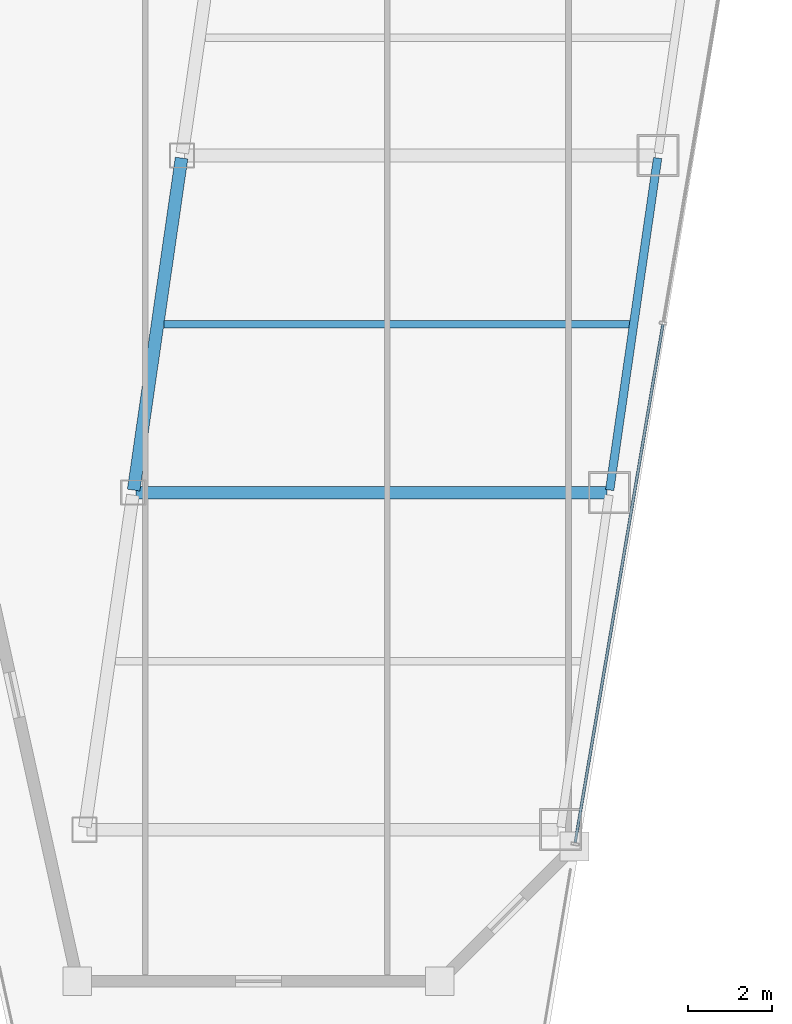
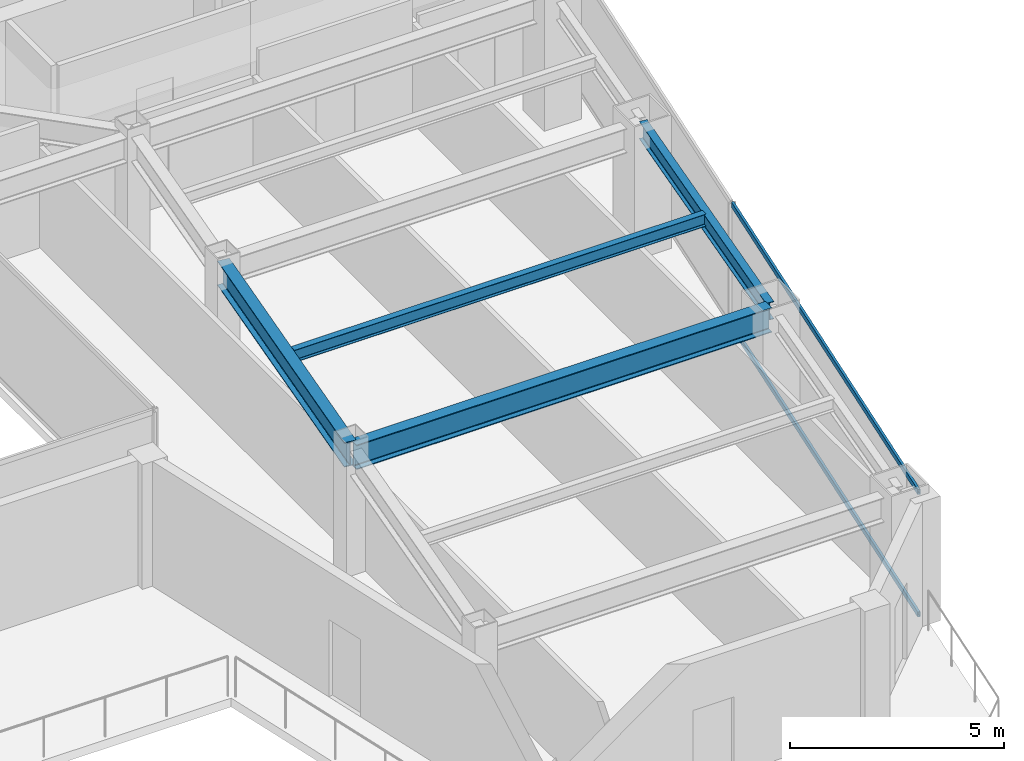
# One storey, part 10 of 31: 4 beams, 2 members, 1 element without a shape of its own.
"""IFC4 building model written with IfcOpenShell, lengths in metres."""

from ifc_helpers import new_model, si_unit, direction, frame, origin, origin_2d, place, context, subcontext, project, spatial, hollow_rectangle, i_section, extrude, material, material_profile, profile_set, type_object, element, aggregate, save


model = new_model("IFC4")

# Units and contexts
model_context = context("Model", 3, precision=1e-05, world=origin(), true_north=direction((0.0, 1.0)))
body_context = subcontext(model_context, "Body", "Model", "MODEL_VIEW")
ifc_project = project(units=[si_unit("LENGTHUNIT", "METRE"), si_unit("AREAUNIT", "SQUARE_METRE"), si_unit("VOLUMEUNIT", "CUBIC_METRE"), si_unit("PLANEANGLEUNIT", "RADIAN"), si_unit("MASSUNIT", "GRAM", prefix="KILO")], contexts=[model_context])

# Site, building, storey
site_placement = place(None, origin())
site = spatial("IfcSite", under=ifc_project, at=site_placement, CompositionType="ELEMENT")
building_placement = place(site_placement, origin())
building = spatial("IfcBuilding", under=site, at=building_placement, Name="Saevonmaru Cultural Tower", CompositionType="ELEMENT")
storey_placement = place(building_placement, frame((0.0, 0.0, 167.60009765625)))
storey = spatial("IfcBuildingStorey", under=building, at=storey_placement, Name="L37", CompositionType="ELEMENT", Elevation=167.60009765625)

# Beams
ifc_material_1 = material(Name="Steel SM355", Category="steel")
ifc_material_profile_1 = material_profile(ifc_material_1, i_section(OverallWidth=0.300048828125, OverallDepth=0.699951171875, WebThickness=0.012939453125, FlangeThickness=0.02392578125, FilletRadius=0.02587890625, at=origin_2d()), Name="H-700x300x13x24")
ifc_profile_set_1 = profile_set([ifc_material_profile_1], Name="Steel SM355")
beam_type_1 = type_object("IfcBeamType", Name="BM-G-H700", PredefinedType="BEAM", material=ifc_profile_set_1)
beam_1_placement = place(storey_placement, frame((39.236572265625, 24.059326171875, 3.199951171875), z_axis=(0.142902032203, 0.989736838353, 0.0), x_axis=(-0.989736838353, 0.142902032203, 0.0)))
element("IfcBeam", 1, at=beam_1_placement, inside=storey, type_object=beam_type_1, Name="L37 East Atrium Girder 2", PredefinedType="BEAM", context=body_context, shape_type="SweptSolid", body=[
    extrude(i_section(OverallWidth=0.300048828125, OverallDepth=0.699951171875, WebThickness=0.012939453125, FlangeThickness=0.02392578125, FilletRadius=0.02587890625, at=origin_2d()), origin(), (0.0, 0.0, 1.0), 7.963134765625),
])
beam_2_placement = place(storey_placement, frame((39.2880859375, 24.0, 3.199951171875), z_axis=(1.0, 0.0, 0.0), x_axis=(0.0, 1.0, 0.0)))
element("IfcBeam", 2, at=beam_2_placement, inside=storey, type_object=beam_type_1, Name="L37 East Wing Transverse Girder 2", PredefinedType="BEAM", context=body_context, shape_type="SweptSolid", body=[
    extrude(i_section(OverallWidth=0.300048828125, OverallDepth=0.699951171875, WebThickness=0.012939453125, FlangeThickness=0.02392578125, FilletRadius=0.02587890625, at=origin_2d()), origin(), (0.0, 0.0, 1.0), 11.179931640625),
])
ifc_material_profile_2 = material_profile(ifc_material_1, i_section(OverallWidth=0.175048828125, OverallDepth=0.35009765625, WebThickness=0.007080078125, FlangeThickness=0.010986328125, FilletRadius=0.012939453125, at=origin_2d()), Name="H-350x175x7x11")
ifc_profile_set_2 = profile_set([ifc_material_profile_2], Name="Steel SM355")
beam_type_2 = type_object("IfcBeamType", Name="BM-J-H350", PredefinedType="JOIST", material=ifc_profile_set_2)
beam_3_placement = place(storey_placement, frame((39.96337890625, 28.0, 3.375), z_axis=(1.0, 0.0, 0.0), x_axis=(0.0, 1.0, 0.0)))
element("IfcBeam", 3, at=beam_3_placement, inside=storey, type_object=beam_type_2, Name="L37 East Wing Floor Joist 2", PredefinedType="JOIST", context=body_context, shape_type="SweptSolid", body=[
    extrude(i_section(OverallWidth=0.175048828125, OverallDepth=0.35009765625, WebThickness=0.007080078125, FlangeThickness=0.010986328125, FilletRadius=0.012939453125, at=origin_2d()), origin(), (0.0, 0.0, 1.0), 11.08203125),
])
ifc_material_profile_3 = material_profile(ifc_material_1, i_section(OverallWidth=0.199951171875, OverallDepth=0.5, WebThickness=0.010009765625, FlangeThickness=0.01611328125, FilletRadius=0.02001953125, at=origin_2d()), Name="H-500x200x10x16")
ifc_profile_set_3 = profile_set([ifc_material_profile_3], Name="Steel SM355")
beam_type_3 = type_object("IfcBeamType", Name="BM-SP-H500", PredefinedType="SPANDREL", material=ifc_profile_set_3)
beam_4_placement = place(storey_placement, frame((50.53662109375, 24.059326171875, 3.2998046875), z_axis=(0.142871999001, 0.989741174197, 0.0), x_axis=(-0.989741174197, 0.142871999001, 0.0)))
element("IfcBeam", 4, at=beam_4_placement, inside=storey, type_object=beam_type_3, Name="L37 East Splayed Spandrel 2", PredefinedType="SPANDREL", context=body_context, shape_type="SweptSolid", body=[
    extrude(i_section(OverallWidth=0.199951171875, OverallDepth=0.5, WebThickness=0.010009765625, FlangeThickness=0.01611328125, FilletRadius=0.02001953125, at=origin_2d()), origin(), (0.0, 0.0, 1.0), 7.963134765625),
])

# Curtain wall, members
ifc_material_2 = material(Name="Satin Bronze Anodised Aluminium", Category="aluminium")
curtain_wall_type = type_object("IfcCurtainWallType", Name="CW-TYP-A", PredefinedType="NOTDEFINED", material=ifc_material_2)
curtain_wall_placement = place(storey_placement, origin())
curtain_wall = element("IfcCurtainWall", 5, at=curtain_wall_placement, inside=storey, type_object=curtain_wall_type, Name="L37 Unitised Curtain Wall E8", PredefinedType="NOTDEFINED")
ifc_material_profile_4 = material_profile(ifc_material_2, hollow_rectangle(XDim=0.06494140625, YDim=0.14990234375, WallThickness=0.00390625, at=origin_2d()), Name="ALU-TRAN-150x65x4")
ifc_profile_set_4 = profile_set([ifc_material_profile_4], Name="Satin Bronze Anodised Aluminium")
member_type = type_object("IfcMemberType", Name="TR-CW-150x65", PredefinedType="USERDEFINED", material=ifc_profile_set_4)
member_1_placement = place(storey_placement, frame((49.717529296875, 15.691162109375, 0.032470703125), z_axis=(0.166922129366, 0.985970082065, 0.0), x_axis=(-0.985970082065, 0.166922129366, 0.0)))
member_1 = element("IfcMember", 6, at=member_1_placement, type_object=member_type, Name="CW-TW-L37-E8 transom 1.1", ObjectType="TRANSOM", PredefinedType="USERDEFINED", context=body_context, shape_type="SweptSolid", body=[
    extrude(hollow_rectangle(XDim=0.06494140625, YDim=0.14990234375, WallThickness=0.00390625, at=origin_2d()), origin(), (0.0, 0.0, 1.0), 12.4716796875),
])
member_2_placement = place(storey_placement, frame((49.717529296875, 15.691162109375, 3.517333984375), z_axis=(0.166922129366, 0.985970082065, 0.0), x_axis=(-0.985970082065, 0.166922129366, 0.0)))
member_2 = element("IfcMember", 7, at=member_2_placement, type_object=member_type, Name="CW-TW-L37-E8 transom 1.2", ObjectType="TRANSOM", PredefinedType="USERDEFINED", context=body_context, shape_type="SweptSolid", body=[
    extrude(hollow_rectangle(XDim=0.06494140625, YDim=0.14990234375, WallThickness=0.00390625, at=origin_2d()), origin(), (0.0, 0.0, 1.0), 12.4716796875),
])
aggregate(curtain_wall, [member_1, member_2])

save(model, "model.ifc")
